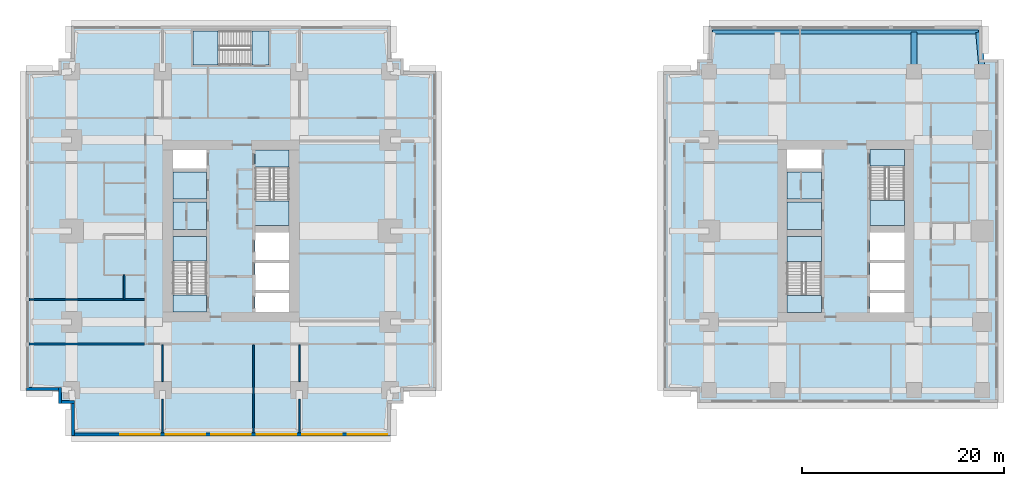
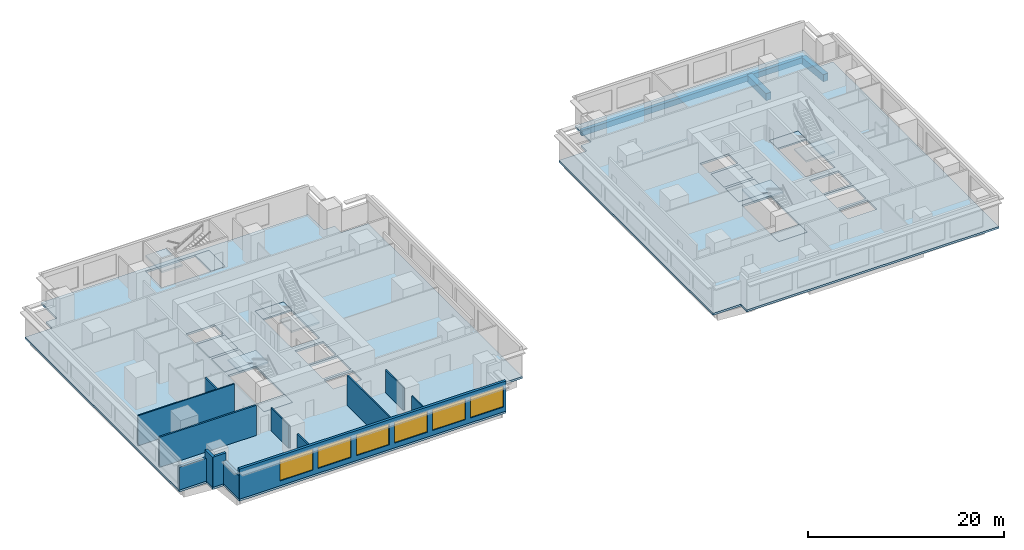
# One storey, part 2 of 10: 16 slabs, 13 walls, 6 windows, 3 beams, 6 openings, 5 elements without a shape of their own.
"""IFC4 building model written with IfcOpenShell, lengths in metres."""

from ifc_helpers import new_model, si_unit, direction, frame, frame_2d, origin, origin_2d, place, context, subcontext, project, spatial, polyline, rectangle, outline, extrude, material, layer, layer_set, material_profile, profile_set, type_object, element, fill, aggregate, save


model = new_model("IFC4")

# Units and contexts
model_context = context("Model", 3, precision=1e-05, world=origin(), true_north=direction((0.0, 1.0)))
body_context = subcontext(model_context, "Body", "Model", "MODEL_VIEW")
ifc_project = project(units=[si_unit("LENGTHUNIT", "METRE"), si_unit("AREAUNIT", "SQUARE_METRE"), si_unit("VOLUMEUNIT", "CUBIC_METRE"), si_unit("PLANEANGLEUNIT", "RADIAN"), si_unit("MASSUNIT", "GRAM", prefix="KILO")], contexts=[model_context])

# Site, building, storey
site_placement = place(None, origin())
site = spatial("IfcSite", under=ifc_project, at=site_placement, CompositionType="ELEMENT")
building_placement = place(site_placement, origin())
building = spatial("IfcBuilding", under=site, at=building_placement, Name="Namib Vertical Campus", CompositionType="ELEMENT")
storey_placement = place(building_placement, frame((0.0, 0.0, 141.0)))
storey = spatial("IfcBuildingStorey", under=building, at=storey_placement, Name="L33", CompositionType="ELEMENT", Elevation=141.0)

# Beams
ifc_material_1 = material(Name="Concrete C40/50", Category="concrete")
ifc_material_profile_1 = material_profile(ifc_material_1, rectangle(XDim=0.60009765625, YDim=0.89990234375, at=origin_2d()))
ifc_profile_set_1 = profile_set([ifc_material_profile_1], Name="Concrete C40/50")
beam_type_1 = type_object("IfcBeamType", Name="Cantilever girder RC 600x900", PredefinedType="BEAM", material=ifc_profile_set_1)
beam_1_placement = place(storey_placement, frame((87.75, 36.0, -0.699951171875), z_axis=(0.0, 1.0, 0.0), x_axis=(-1.0, 0.0, 0.0)))
element("IfcBeam", 1, at=beam_1_placement, inside=storey, type_object=beam_type_1, Name="Beam B3 L33", PredefinedType="BEAM", context=body_context, shape_type="SweptSolid", body=[
    extrude(rectangle(XDim=0.60009765625, YDim=0.89990234375, at=origin_2d()), origin(), (0.0, 0.0, 1.0), 3.89990234375),
])
beam_2_placement = place(storey_placement, frame((94.5, 36.0, -0.699951171875), z_axis=(-0.089411326146, 0.995994786511, 0.0), x_axis=(-0.995994786511, -0.089411326146, 0.0)))
element("IfcBeam", 2, at=beam_2_placement, inside=storey, type_object=beam_type_1, Name="Beam B3 L33", PredefinedType="BEAM", context=body_context, shape_type="SweptSolid", body=[
    extrude(rectangle(XDim=0.60009765625, YDim=0.89990234375, at=origin_2d()), origin(), (0.0, 0.0, 1.0), 3.91552734375),
])
ifc_material_2 = material(Name="Concrete C40/50", Category="concrete")
ifc_material_profile_2 = material_profile(ifc_material_2, rectangle(XDim=0.39990234375, YDim=0.699951171875, at=origin_2d()))
ifc_profile_set_2 = profile_set([ifc_material_profile_2], Name="Concrete C40/50")
beam_type_2 = type_object("IfcBeamType", Name="Edge beam RC 400x700", PredefinedType="SPANDREL", material=ifc_profile_set_2)
beam_3_placement = place(storey_placement, frame((67.85009765625, 39.89990234375, -0.60009765625), z_axis=(1.0, 0.0, 0.0), x_axis=(0.0, 1.0, 0.0)))
element("IfcBeam", 3, at=beam_3_placement, inside=storey, type_object=beam_type_2, Name="Beam B4 L33", PredefinedType="SPANDREL", context=body_context, shape_type="SweptSolid", body=[
    extrude(rectangle(XDim=0.39990234375, YDim=0.699951171875, at=origin_2d()), origin(), (0.0, 0.0, 1.0), 26.2998046875),
])

# Slabs
ifc_material_3 = material(Name="Concrete C40/50", Category="concrete")
ifc_layer_1 = layer(ifc_material_3, 0.25)
ifc_layer_set_1 = layer_set([ifc_layer_1], Name="Concrete C40/50")
slab_type_1 = type_object("IfcSlabType", Name="Floor slab 250", PredefinedType="FLOOR", material=ifc_layer_set_1)
slab_1_placement = place(storey_placement, frame((0.0, 0.0, -0.25)))
element("IfcSlab", 4, at=slab_1_placement, inside=storey, type_object=slab_type_1, Name="Floor slab A L33", PredefinedType="FLOOR", context=body_context, shape_type="SweptSolid", body=[
    extrude(outline(polyline([(4.5, 0.0), (36.0, 0.0), (36.0, 3.199951171875), (37.300048828125, 3.199951171875), (37.300048828125, 4.5), (40.5, 4.5), (40.5, 36.0), (37.300048828125, 36.0), (37.300048828125, 37.300048828125), (36.0, 37.300048828125), (36.0, 40.5), (4.5, 40.5), (4.5, 37.300048828125), (3.199951171875, 37.300048828125), (3.199951171875, 36.0), (0.0, 36.0), (0.0, 4.5), (3.199951171875, 4.5), (3.199951171875, 3.199951171875), (4.5, 3.199951171875), (4.5, 0.0)]), holes=[polyline([(14.5, 12.25), (17.85009765625, 12.25), (17.85009765625, 19.699951171875), (14.5, 19.699951171875), (14.5, 12.25)]), polyline([(22.64990234375, 20.800048828125), (26.0, 20.800048828125), (26.0, 28.25), (22.64990234375, 28.25), (22.64990234375, 20.800048828125)]), polyline([(22.64990234375, 12.25), (26.0, 12.25), (26.0, 14.10009765625), (22.64990234375, 14.10009765625), (22.64990234375, 12.25)]), polyline([(14.5, 20.39990234375), (17.85009765625, 20.39990234375), (17.85009765625, 23.10009765625), (14.5, 23.10009765625), (14.5, 20.39990234375)]), polyline([(14.5, 23.39990234375), (17.85009765625, 23.39990234375), (17.85009765625, 26.10009765625), (14.5, 26.10009765625), (14.5, 23.39990234375)]), polyline([(14.5, 26.39990234375), (17.85009765625, 26.39990234375), (17.85009765625, 28.25), (14.5, 28.25), (14.5, 26.39990234375)]), polyline([(22.64990234375, 14.39990234375), (26.0, 14.39990234375), (26.0, 17.10009765625), (22.64990234375, 17.10009765625), (22.64990234375, 14.39990234375)]), polyline([(22.64990234375, 17.39990234375), (26.0, 17.39990234375), (26.0, 20.10009765625), (22.64990234375, 20.10009765625), (22.64990234375, 17.39990234375)]), polyline([(16.5, 36.64990234375), (24.0, 36.64990234375), (24.0, 40.0), (16.5, 40.0), (16.5, 36.64990234375)])]), origin(), (0.0, 0.0, 1.0), 0.25),
])
slab_2_placement = place(storey_placement, frame((0.0, 0.0, -0.25)))
element("IfcSlab", 5, at=slab_2_placement, inside=storey, type_object=slab_type_1, Name="Floor slab B L33", PredefinedType="FLOOR", context=body_context, shape_type="SweptSolid", body=[
    extrude(outline(polyline([(63.0, 4.5), (66.300048828125, 4.5), (66.300048828125, 3.300048828125), (96.050048828125, 3.300048828125), (96.050048828125, 37.199951171875), (94.5, 37.199951171875), (94.5, 40.5), (67.5, 40.5), (67.5, 37.199951171875), (66.300048828125, 37.199951171875), (66.300048828125, 36.0), (63.0, 36.0), (63.0, 4.5)]), holes=[polyline([(75.199951171875, 12.199951171875), (78.60009765625, 12.199951171875), (78.60009765625, 19.699951171875), (75.199951171875, 19.699951171875), (75.199951171875, 12.199951171875)]), polyline([(83.39990234375, 20.800048828125), (86.800048828125, 20.800048828125), (86.800048828125, 28.300048828125), (83.39990234375, 28.300048828125), (83.39990234375, 20.800048828125)]), polyline([(83.39990234375, 12.199951171875), (86.800048828125, 12.199951171875), (86.800048828125, 14.10009765625), (83.39990234375, 14.10009765625), (83.39990234375, 12.199951171875)]), polyline([(75.199951171875, 20.39990234375), (78.60009765625, 20.39990234375), (78.60009765625, 23.10009765625), (75.199951171875, 23.10009765625), (75.199951171875, 20.39990234375)]), polyline([(75.199951171875, 23.39990234375), (78.60009765625, 23.39990234375), (78.60009765625, 26.10009765625), (75.199951171875, 26.10009765625), (75.199951171875, 23.39990234375)]), polyline([(75.199951171875, 26.39990234375), (78.60009765625, 26.39990234375), (78.60009765625, 28.300048828125), (75.199951171875, 28.300048828125), (75.199951171875, 26.39990234375)]), polyline([(83.39990234375, 14.39990234375), (86.800048828125, 14.39990234375), (86.800048828125, 17.10009765625), (83.39990234375, 17.10009765625), (83.39990234375, 14.39990234375)]), polyline([(83.39990234375, 17.39990234375), (86.800048828125, 17.39990234375), (86.800048828125, 20.10009765625), (83.39990234375, 20.10009765625), (83.39990234375, 17.39990234375)])]), origin(), (0.0, 0.0, 1.0), 0.25),
])
ifc_material_4 = material(Name="Concrete C40/50 precast", Category="concrete")
ifc_layer_2 = layer(ifc_material_4, 0.25)
ifc_layer_set_2 = layer_set([ifc_layer_2], Name="Concrete C40/50 precast")
slab_type_2 = type_object("IfcSlabType", Name="Shaft infill floor 250", PredefinedType="FLOOR", material=ifc_layer_set_2)
slab_3_placement = place(storey_placement, frame((0.0, 0.0, -0.25)))
element("IfcSlab", 6, at=slab_3_placement, inside=storey, type_object=slab_type_2, Name="Shaft infill floor A L33 P1", PredefinedType="FLOOR", context=body_context, shape_type="SweptSolid", body=[
    extrude(outline(polyline([(14.5, 20.39990234375), (17.85009765625, 20.39990234375), (17.85009765625, 23.10009765625), (14.5, 23.10009765625), (14.5, 20.39990234375)])), origin(), (0.0, 0.0, 1.0), 0.25),
])
slab_4_placement = place(storey_placement, frame((0.0, 0.0, -0.25)))
element("IfcSlab", 7, at=slab_4_placement, inside=storey, type_object=slab_type_2, Name="Shaft infill floor A L33 P2", PredefinedType="FLOOR", context=body_context, shape_type="SweptSolid", body=[
    extrude(outline(polyline([(14.5, 23.39990234375), (17.85009765625, 23.39990234375), (17.85009765625, 26.10009765625), (14.5, 26.10009765625), (14.5, 23.39990234375)])), origin(), (0.0, 0.0, 1.0), 0.25),
])
slab_5_placement = place(storey_placement, frame((0.0, 0.0, -0.25)))
element("IfcSlab", 8, at=slab_5_placement, inside=storey, type_object=slab_type_2, Name="Shaft infill floor B L33 P1", PredefinedType="FLOOR", context=body_context, shape_type="SweptSolid", body=[
    extrude(outline(polyline([(75.199951171875, 20.39990234375), (78.60009765625, 20.39990234375), (78.60009765625, 23.10009765625), (75.199951171875, 23.10009765625), (75.199951171875, 20.39990234375)])), origin(), (0.0, 0.0, 1.0), 0.25),
])
slab_6_placement = place(storey_placement, frame((0.0, 0.0, -0.25)))
element("IfcSlab", 9, at=slab_6_placement, inside=storey, type_object=slab_type_2, Name="Shaft infill floor B L33 P2", PredefinedType="FLOOR", context=body_context, shape_type="SweptSolid", body=[
    extrude(outline(polyline([(75.199951171875, 23.39990234375), (78.60009765625, 23.39990234375), (78.60009765625, 26.10009765625), (75.199951171875, 26.10009765625), (75.199951171875, 23.39990234375)])), origin(), (0.0, 0.0, 1.0), 0.25),
])

# Stair, slabs
ifc_material_5 = material(Name="Concrete C40/50 precast", Category="concrete")
stair_type_1 = type_object("IfcStairType", Name="Exit stair 4000 rise 24 risers 3350 wide", PredefinedType="HALF_TURN_STAIR", material=ifc_material_5)
stair_1_placement = place(storey_placement, origin())
stair_1 = element("IfcStair", 10, at=stair_1_placement, inside=storey, type_object=stair_type_1, Name="Exit stair A-S1 L33", PredefinedType="HALF_TURN_STAIR")
ifc_material_6 = material(Name="Concrete C40/50", Category="concrete")
ifc_layer_3 = layer(ifc_material_6, 0.199951171875)
ifc_layer_set_3 = layer_set([ifc_layer_3], Name="Concrete C40/50")
slab_type_3 = type_object("IfcSlabType", Name="Stair landing 200", PredefinedType="LANDING", material=ifc_layer_set_3)
slab_7_placement = place(storey_placement, frame((0.0, 0.0, -0.199951171875)))
slab_7 = element("IfcSlab", 11, at=slab_7_placement, type_object=slab_type_3, Name="A-S1 landing 1", PredefinedType="LANDING", context=body_context, shape_type="SweptSolid", body=[
    extrude(outline(polyline([(14.5, 12.25), (17.85009765625, 12.25), (17.85009765625, 13.90380859375), (14.5, 13.90380859375), (14.5, 12.25)])), origin(), (0.0, 0.0, 1.0), 0.199951171875),
])
slab_8_placement = place(storey_placement, frame((0.0, 0.0, 1.800048828125)))
slab_8 = element("IfcSlab", 12, at=slab_8_placement, type_object=slab_type_3, Name="A-S1 landing 2", PredefinedType="LANDING", context=body_context, shape_type="SweptSolid", body=[
    extrude(outline(polyline([(14.5, 17.276123046875), (17.85009765625, 17.276123046875), (17.85009765625, 19.699951171875), (14.5, 19.699951171875), (14.5, 17.276123046875)])), origin(), (0.0, 0.0, 1.0), 0.199951171875),
])
aggregate(stair_1, [slab_7, slab_8])

stair_2_placement = place(storey_placement, origin())
stair_2 = element("IfcStair", 13, at=stair_2_placement, inside=storey, type_object=stair_type_1, Name="Exit stair A-S2 L33", PredefinedType="HALF_TURN_STAIR")
slab_9_placement = place(storey_placement, frame((0.0, 0.0, -0.199951171875)))
slab_9 = element("IfcSlab", 14, at=slab_9_placement, type_object=slab_type_3, Name="A-S2 landing 1", PredefinedType="LANDING", context=body_context, shape_type="SweptSolid", body=[
    extrude(outline(polyline([(22.64990234375, 26.59619140625), (26.0, 26.59619140625), (26.0, 28.25), (22.64990234375, 28.25), (22.64990234375, 26.59619140625)])), origin(), (0.0, 0.0, 1.0), 0.199951171875),
])
slab_10_placement = place(storey_placement, frame((0.0, 0.0, 1.800048828125)))
slab_10 = element("IfcSlab", 15, at=slab_10_placement, type_object=slab_type_3, Name="A-S2 landing 2", PredefinedType="LANDING", context=body_context, shape_type="SweptSolid", body=[
    extrude(outline(polyline([(22.64990234375, 20.800048828125), (26.0, 20.800048828125), (26.0, 23.223876953125), (22.64990234375, 23.223876953125), (22.64990234375, 20.800048828125)])), origin(), (0.0, 0.0, 1.0), 0.199951171875),
])
aggregate(stair_2, [slab_9, slab_10])

ifc_material_7 = material(Name="Concrete C40/50 precast", Category="concrete")
stair_type_2 = type_object("IfcStairType", Name="Exit stair 4000 rise 24 risers 3400 wide", PredefinedType="HALF_TURN_STAIR", material=ifc_material_7)
stair_3_placement = place(storey_placement, origin())
stair_3 = element("IfcStair", 16, at=stair_3_placement, inside=storey, type_object=stair_type_2, Name="Exit stair B-S1 L33", PredefinedType="HALF_TURN_STAIR")
slab_11_placement = place(storey_placement, frame((0.0, 0.0, -0.199951171875)))
slab_11 = element("IfcSlab", 17, at=slab_11_placement, type_object=slab_type_3, Name="B-S1 landing 1", PredefinedType="LANDING", context=body_context, shape_type="SweptSolid", body=[
    extrude(outline(polyline([(75.199951171875, 12.199951171875), (78.60009765625, 12.199951171875), (78.60009765625, 13.85400390625), (75.199951171875, 13.85400390625), (75.199951171875, 12.199951171875)])), origin(), (0.0, 0.0, 1.0), 0.199951171875),
])
slab_12_placement = place(storey_placement, frame((0.0, 0.0, 1.800048828125)))
slab_12 = element("IfcSlab", 18, at=slab_12_placement, type_object=slab_type_3, Name="B-S1 landing 2", PredefinedType="LANDING", context=body_context, shape_type="SweptSolid", body=[
    extrude(outline(polyline([(75.199951171875, 17.22607421875), (78.60009765625, 17.22607421875), (78.60009765625, 19.699951171875), (75.199951171875, 19.699951171875), (75.199951171875, 17.22607421875)])), origin(), (0.0, 0.0, 1.0), 0.199951171875),
])
aggregate(stair_3, [slab_11, slab_12])

stair_4_placement = place(storey_placement, origin())
stair_4 = element("IfcStair", 19, at=stair_4_placement, inside=storey, type_object=stair_type_2, Name="Exit stair B-S2 L33", PredefinedType="HALF_TURN_STAIR")
slab_13_placement = place(storey_placement, frame((0.0, 0.0, -0.199951171875)))
slab_13 = element("IfcSlab", 20, at=slab_13_placement, type_object=slab_type_3, Name="B-S2 landing 1", PredefinedType="LANDING", context=body_context, shape_type="SweptSolid", body=[
    extrude(outline(polyline([(83.39990234375, 26.64599609375), (86.800048828125, 26.64599609375), (86.800048828125, 28.300048828125), (83.39990234375, 28.300048828125), (83.39990234375, 26.64599609375)])), origin(), (0.0, 0.0, 1.0), 0.199951171875),
])
slab_14_placement = place(storey_placement, frame((0.0, 0.0, 1.800048828125)))
slab_14 = element("IfcSlab", 21, at=slab_14_placement, type_object=slab_type_3, Name="B-S2 landing 2", PredefinedType="LANDING", context=body_context, shape_type="SweptSolid", body=[
    extrude(outline(polyline([(83.39990234375, 20.800048828125), (86.800048828125, 20.800048828125), (86.800048828125, 23.27392578125), (83.39990234375, 23.27392578125), (83.39990234375, 20.800048828125)])), origin(), (0.0, 0.0, 1.0), 0.199951171875),
])
aggregate(stair_4, [slab_13, slab_14])

stair_5_placement = place(storey_placement, origin())
stair_5 = element("IfcStair", 22, at=stair_5_placement, inside=storey, type_object=stair_type_1, Name="Exit stair A-S3 L33", PredefinedType="HALF_TURN_STAIR")
slab_15_placement = place(storey_placement, frame((0.0, 0.0, -0.199951171875)))
slab_15 = element("IfcSlab", 23, at=slab_15_placement, type_object=slab_type_3, Name="A-S3 landing 1", PredefinedType="LANDING", context=body_context, shape_type="SweptSolid", body=[
    extrude(outline(polyline([(22.34619140625, 36.64990234375), (22.34619140625, 40.0), (24.0, 40.0), (24.0, 36.64990234375), (22.34619140625, 36.64990234375)])), origin(), (0.0, 0.0, 1.0), 0.199951171875),
])
slab_16_placement = place(storey_placement, frame((0.0, 0.0, 1.800048828125)))
slab_16 = element("IfcSlab", 24, at=slab_16_placement, type_object=slab_type_3, Name="A-S3 landing 2", PredefinedType="LANDING", context=body_context, shape_type="SweptSolid", body=[
    extrude(outline(polyline([(16.5, 36.64990234375), (16.5, 40.0), (18.973876953125, 40.0), (18.973876953125, 36.64990234375), (16.5, 36.64990234375)])), origin(), (0.0, 0.0, 1.0), 0.199951171875),
])
aggregate(stair_5, [slab_15, slab_16])

# Wall
ifc_material_8 = material(Name="Concrete masonry", Category="masonry")
ifc_layer_4 = layer(ifc_material_8, 0.199951171875)
ifc_layer_set_4 = layer_set([ifc_layer_4], Name="Corridor wall 200")
wall_type_1 = type_object("IfcWallType", Name="Corridor wall 200", PredefinedType="SOLIDWALL", material=ifc_layer_set_4)
wall_1_placement = place(storey_placement, frame((0.300048828125, 9.10009765625, 0.0), z_axis=(0.0, 0.0, 1.0), x_axis=(1.0, 0.0, 0.0)))
element("IfcWall", 25, at=wall_1_placement, inside=storey, type_object=wall_type_1, Name="Partition A L33 BSW", PredefinedType="SOLIDWALL", context=body_context, shape_type="SweptSolid", body=[
    extrude(rectangle(XDim=11.39990234375, YDim=0.199951171875, at=frame_2d((5.699951171875, 0.0))), origin(), (0.0, 0.0, 1.0), 3.75),
])

# Wall, openings, windows
ifc_material_9 = material(Name="Concrete C40/50", Category="concrete")
ifc_layer_5 = layer(ifc_material_9, 0.300048828125)
ifc_layer_set_5 = layer_set([ifc_layer_5], Name="Concrete C40/50")
wall_type_2 = type_object("IfcWallType", Name="External wall 300 board-marked concrete", PredefinedType="STANDARD", material=ifc_layer_set_5)
wall_2_placement = place(storey_placement, frame((4.52001953125, 0.14990234375, 0.0), z_axis=(0.0, 0.0, 1.0), x_axis=(1.0, 0.0, 0.0)))
wall_2 = element("IfcWall", 26, at=wall_2_placement, inside=storey, type_object=wall_type_2, Name="External wall L33 F01", PredefinedType="STANDARD", context=body_context, shape_type="SweptSolid", body=[
    extrude(rectangle(XDim=31.4599609375, YDim=0.300048828125, at=frame_2d((15.72998046875, 0.0))), origin(), (0.0, 0.0, 1.0), 3.75),
])
opening_1_placement = place(wall_2_placement, frame((4.780029296875, 0.0, 0.60009765625)))
opening_1 = element("IfcOpeningElement", 27, at=opening_1_placement, cuts=wall_2, Name="Opening W2", PredefinedType="OPENING", context=body_context, shape_type="SweptSolid", body=[
    extrude(rectangle(XDim=3.89990234375, YDim=2.60009765625, at=frame_2d((1.949951171875, 1.300048828125))), frame((0.0, 0.159912109375, 0.0), z_axis=(0.0, -1.0, 0.0), x_axis=(1.0, 0.0, 0.0)), (0.0, 0.0, 1.0), 0.320068359375),
])
opening_2_placement = place(wall_2_placement, frame((9.280029296875, 0.0, 0.60009765625)))
opening_2 = element("IfcOpeningElement", 28, at=opening_2_placement, cuts=wall_2, Name="Opening W2", PredefinedType="OPENING", context=body_context, shape_type="SweptSolid", body=[
    extrude(rectangle(XDim=3.89990234375, YDim=2.60009765625, at=frame_2d((1.949951171875, 1.300048828125))), frame((0.0, 0.159912109375, 0.0), z_axis=(0.0, -1.0, 0.0), x_axis=(1.0, 0.0, 0.0)), (0.0, 0.0, 1.0), 0.320068359375),
])
opening_3_placement = place(wall_2_placement, frame((13.780029296875, 0.0, 0.60009765625)))
opening_3 = element("IfcOpeningElement", 29, at=opening_3_placement, cuts=wall_2, Name="Opening W2", PredefinedType="OPENING", context=body_context, shape_type="SweptSolid", body=[
    extrude(rectangle(XDim=3.89990234375, YDim=2.60009765625, at=frame_2d((1.949951171875, 1.300048828125))), frame((0.0, 0.159912109375, 0.0), z_axis=(0.0, -1.0, 0.0), x_axis=(1.0, 0.0, 0.0)), (0.0, 0.0, 1.0), 0.320068359375),
])
opening_4_placement = place(wall_2_placement, frame((18.280029296875, 0.0, 0.60009765625)))
opening_4 = element("IfcOpeningElement", 30, at=opening_4_placement, cuts=wall_2, Name="Opening W2", PredefinedType="OPENING", context=body_context, shape_type="SweptSolid", body=[
    extrude(rectangle(XDim=3.89990234375, YDim=2.60009765625, at=frame_2d((1.949951171875, 1.300048828125))), frame((0.0, 0.159912109375, 0.0), z_axis=(0.0, -1.0, 0.0), x_axis=(1.0, 0.0, 0.0)), (0.0, 0.0, 1.0), 0.320068359375),
])
opening_5_placement = place(wall_2_placement, frame((22.780029296875, 0.0, 0.60009765625)))
opening_5 = element("IfcOpeningElement", 31, at=opening_5_placement, cuts=wall_2, Name="Opening W2", PredefinedType="OPENING", context=body_context, shape_type="SweptSolid", body=[
    extrude(rectangle(XDim=3.89990234375, YDim=2.60009765625, at=frame_2d((1.949951171875, 1.300048828125))), frame((0.0, 0.159912109375, 0.0), z_axis=(0.0, -1.0, 0.0), x_axis=(1.0, 0.0, 0.0)), (0.0, 0.0, 1.0), 0.320068359375),
])
opening_6_placement = place(wall_2_placement, frame((27.280029296875, 0.0, 0.60009765625)))
opening_6 = element("IfcOpeningElement", 32, at=opening_6_placement, cuts=wall_2, Name="Opening W2", PredefinedType="OPENING", context=body_context, shape_type="SweptSolid", body=[
    extrude(rectangle(XDim=3.89990234375, YDim=2.60009765625, at=frame_2d((1.949951171875, 1.300048828125))), frame((0.0, 0.159912109375, 0.0), z_axis=(0.0, -1.0, 0.0), x_axis=(1.0, 0.0, 0.0)), (0.0, 0.0, 1.0), 0.320068359375),
])
ifc_material_10 = material(Name="Dark tinted glass in black aluminium frame", Category="aluminium")
window_type = type_object("IfcWindowType", Name="Ribbon window 3900x2600", PartitioningType="SINGLE_PANEL", PredefinedType="WINDOW", material=ifc_material_10)
window_1_placement = place(opening_1_placement, origin())
window_1 = element("IfcWindow", 33, at=window_1_placement, inside=storey, type_object=window_type, Name="Window W2 L33 F01-2", OverallHeight=2.60009765625, OverallWidth=3.89990234375, PartitioningType="SINGLE_PANEL", PredefinedType="WINDOW", context=body_context, shape_type="SweptSolid", body=[
    extrude(rectangle(XDim=3.89990234375, YDim=2.60009765625, at=frame_2d((1.949951171875, 1.300048828125))), frame((0.0, 0.030029296875, 0.0), z_axis=(0.0, -1.0, 0.0), x_axis=(1.0, 0.0, 0.0)), (0.0, 0.0, 1.0), 0.06005859375),
])
fill(opening_1, window_1)
window_2_placement = place(opening_2_placement, origin())
window_2 = element("IfcWindow", 34, at=window_2_placement, inside=storey, type_object=window_type, Name="Window W2 L33 F01-3", OverallHeight=2.60009765625, OverallWidth=3.89990234375, PartitioningType="SINGLE_PANEL", PredefinedType="WINDOW", context=body_context, shape_type="SweptSolid", body=[
    extrude(rectangle(XDim=3.89990234375, YDim=2.60009765625, at=frame_2d((1.949951171875, 1.300048828125))), frame((0.0, 0.030029296875, 0.0), z_axis=(0.0, -1.0, 0.0), x_axis=(1.0, 0.0, 0.0)), (0.0, 0.0, 1.0), 0.06005859375),
])
fill(opening_2, window_2)
window_3_placement = place(opening_3_placement, origin())
window_3 = element("IfcWindow", 35, at=window_3_placement, inside=storey, type_object=window_type, Name="Window W2 L33 F01-4", OverallHeight=2.60009765625, OverallWidth=3.89990234375, PartitioningType="SINGLE_PANEL", PredefinedType="WINDOW", context=body_context, shape_type="SweptSolid", body=[
    extrude(rectangle(XDim=3.89990234375, YDim=2.60009765625, at=frame_2d((1.949951171875, 1.300048828125))), frame((0.0, 0.030029296875, 0.0), z_axis=(0.0, -1.0, 0.0), x_axis=(1.0, 0.0, 0.0)), (0.0, 0.0, 1.0), 0.06005859375),
])
fill(opening_3, window_3)
window_4_placement = place(opening_4_placement, origin())
window_4 = element("IfcWindow", 36, at=window_4_placement, inside=storey, type_object=window_type, Name="Window W2 L33 F01-5", OverallHeight=2.60009765625, OverallWidth=3.89990234375, PartitioningType="SINGLE_PANEL", PredefinedType="WINDOW", context=body_context, shape_type="SweptSolid", body=[
    extrude(rectangle(XDim=3.89990234375, YDim=2.60009765625, at=frame_2d((1.949951171875, 1.300048828125))), frame((0.0, 0.030029296875, 0.0), z_axis=(0.0, -1.0, 0.0), x_axis=(1.0, 0.0, 0.0)), (0.0, 0.0, 1.0), 0.06005859375),
])
fill(opening_4, window_4)
window_5_placement = place(opening_5_placement, origin())
window_5 = element("IfcWindow", 37, at=window_5_placement, inside=storey, type_object=window_type, Name="Window W2 L33 F01-6", OverallHeight=2.60009765625, OverallWidth=3.89990234375, PartitioningType="SINGLE_PANEL", PredefinedType="WINDOW", context=body_context, shape_type="SweptSolid", body=[
    extrude(rectangle(XDim=3.89990234375, YDim=2.60009765625, at=frame_2d((1.949951171875, 1.300048828125))), frame((0.0, 0.030029296875, 0.0), z_axis=(0.0, -1.0, 0.0), x_axis=(1.0, 0.0, 0.0)), (0.0, 0.0, 1.0), 0.06005859375),
])
fill(opening_5, window_5)
window_6_placement = place(opening_6_placement, origin())
window_6 = element("IfcWindow", 38, at=window_6_placement, inside=storey, type_object=window_type, Name="Window W2 L33 F01-7", OverallHeight=2.60009765625, OverallWidth=3.89990234375, PartitioningType="SINGLE_PANEL", PredefinedType="WINDOW", context=body_context, shape_type="SweptSolid", body=[
    extrude(rectangle(XDim=3.89990234375, YDim=2.60009765625, at=frame_2d((1.949951171875, 1.300048828125))), frame((0.0, 0.030029296875, 0.0), z_axis=(0.0, -1.0, 0.0), x_axis=(1.0, 0.0, 0.0)), (0.0, 0.0, 1.0), 0.06005859375),
])
fill(opening_6, window_6)

# Walls
wall_3_placement = place(storey_placement, frame((0.02001953125, 4.64990234375, 0.0), z_axis=(0.0, 0.0, 1.0), x_axis=(1.0, 0.0, 0.0)))
element("IfcWall", 39, at=wall_3_placement, inside=storey, type_object=wall_type_2, Name="External wall L33 F17", PredefinedType="STANDARD", context=body_context, shape_type="SweptSolid", body=[
    extrude(rectangle(XDim=3.4599609375, YDim=0.300048828125, at=frame_2d((1.72998046875, 0.0))), origin(), (0.0, 0.0, 1.0), 2.85009765625),
])
for number, where, z_axis, x_axis, name in (
    (40, (3.35009765625, 4.780029296875, 0.0), (0.0, 0.0, 1.0), (0.0, -1.0, 0.0), "External wall L33 F18"),
    (41, (3.219970703125, 3.35009765625, 0.0), (0.0, 0.0, 1.0), (1.0, 0.0, 0.0), "External wall L33 F19"),
):
    element("IfcWall", number, at=place(storey_placement, frame(where, z_axis=z_axis, x_axis=x_axis)), inside=storey, type_object=wall_type_2, Name=name, PredefinedType="STANDARD", context=body_context, shape_type="SweptSolid", body=[
        extrude(rectangle(XDim=1.56005859375, YDim=0.300048828125, at=frame_2d((0.780029296875, 0.0))), origin(), (0.0, 0.0, 1.0), 3.75),
    ])
wall_4_placement = place(storey_placement, frame((4.64990234375, 3.47998046875, 0.0), z_axis=(0.0, 0.0, 1.0), x_axis=(0.0, -1.0, 0.0)))
element("IfcWall", 42, at=wall_4_placement, inside=storey, type_object=wall_type_2, Name="External wall L33 F20", PredefinedType="STANDARD", context=body_context, shape_type="SweptSolid", body=[
    extrude(rectangle(XDim=3.4599609375, YDim=0.300048828125, at=frame_2d((1.72998046875, 0.0))), origin(), (0.0, 0.0, 1.0), 2.85009765625),
])
ifc_material_11 = material(Name="Gypsum board on steel studs", Category="steel")
ifc_layer_6 = layer(ifc_material_11, 0.14990234375)
ifc_layer_set_6 = layer_set([ifc_layer_6], Name="Gypsum board on steel studs")
wall_type_3 = type_object("IfcWallType", Name="Partition 150", PredefinedType="PARTITIONING", material=ifc_layer_set_6)
wall_5_placement = place(storey_placement, frame((13.5, 0.300048828125, 0.0), z_axis=(0.0, 0.0, 1.0), x_axis=(0.0, 1.0, 0.0)))
element("IfcWall", 43, at=wall_5_placement, inside=storey, type_object=wall_type_3, Name="Partition A L33 PS1", PredefinedType="PARTITIONING", context=body_context, shape_type="SweptSolid", body=[
    extrude(rectangle(XDim=3.329833984375, YDim=0.14990234375, at=frame_2d((1.6650390625, 0.0))), origin(), (0.0, 0.0, 1.0), 2.85009765625),
])
wall_6_placement = place(storey_placement, frame((13.5, 5.3701171875, 0.0), z_axis=(0.0, 0.0, 1.0), x_axis=(0.0, 1.0, 0.0)))
element("IfcWall", 44, at=wall_6_placement, inside=storey, type_object=wall_type_3, Name="Partition A L33 PS1", PredefinedType="PARTITIONING", context=body_context, shape_type="SweptSolid", body=[
    extrude(rectangle(XDim=3.6298828125, YDim=0.14990234375, at=frame_2d((1.81494140625, 0.0))), origin(), (0.0, 0.0, 1.0), 2.85009765625),
])
wall_7_placement = place(storey_placement, frame((22.5, 0.300048828125, 0.0), z_axis=(0.0, 0.0, 1.0), x_axis=(0.0, 1.0, 0.0)))
element("IfcWall", 45, at=wall_7_placement, inside=storey, type_object=wall_type_3, Name="Partition A L33 PS2", PredefinedType="PARTITIONING", context=body_context, shape_type="SweptSolid", body=[
    extrude(rectangle(XDim=8.699951171875, YDim=0.14990234375, at=frame_2d((4.35009765625, 0.0))), origin(), (0.0, 0.0, 1.0), 3.75),
])
wall_8_placement = place(storey_placement, frame((27.0, 0.300048828125, 0.0), z_axis=(0.0, 0.0, 1.0), x_axis=(0.0, 1.0, 0.0)))
element("IfcWall", 46, at=wall_8_placement, inside=storey, type_object=wall_type_3, Name="Partition A L33 PS3", PredefinedType="PARTITIONING", context=body_context, shape_type="SweptSolid", body=[
    extrude(rectangle(XDim=3.329833984375, YDim=0.14990234375, at=frame_2d((1.6650390625, 0.0))), origin(), (0.0, 0.0, 1.0), 2.85009765625),
])
wall_9_placement = place(storey_placement, frame((27.0, 5.3701171875, 0.0), z_axis=(0.0, 0.0, 1.0), x_axis=(0.0, 1.0, 0.0)))
element("IfcWall", 47, at=wall_9_placement, inside=storey, type_object=wall_type_3, Name="Partition A L33 PS3", PredefinedType="PARTITIONING", context=body_context, shape_type="SweptSolid", body=[
    extrude(rectangle(XDim=3.6298828125, YDim=0.14990234375, at=frame_2d((1.81494140625, 0.0))), origin(), (0.0, 0.0, 1.0), 2.85009765625),
])
wall_10_placement = place(storey_placement, frame((0.300048828125, 13.5, 0.0), z_axis=(0.0, 0.0, 1.0), x_axis=(1.0, 0.0, 0.0)))
element("IfcWall", 48, at=wall_10_placement, inside=storey, type_object=wall_type_3, Name="Partition A L33 PW1", PredefinedType="PARTITIONING", context=body_context, shape_type="SweptSolid", body=[
    extrude(rectangle(XDim=11.39990234375, YDim=0.14990234375, at=frame_2d((5.699951171875, 0.0))), origin(), (0.0, 0.0, 1.0), 3.75),
])
wall_11_placement = place(storey_placement, frame((9.699951171875, 13.5, 0.0), z_axis=(0.0, 0.0, 1.0), x_axis=(0.0, 1.0, 0.0)))
element("IfcWall", 49, at=wall_11_placement, inside=storey, type_object=wall_type_3, Name="Partition A L33 WB1", PredefinedType="PARTITIONING", context=body_context, shape_type="SweptSolid", body=[
    extrude(rectangle(XDim=2.39990234375, YDim=0.14990234375, at=frame_2d((1.199951171875, 0.0))), origin(), (0.0, 0.0, 1.0), 3.75),
])

save(model, "model.ifc")
